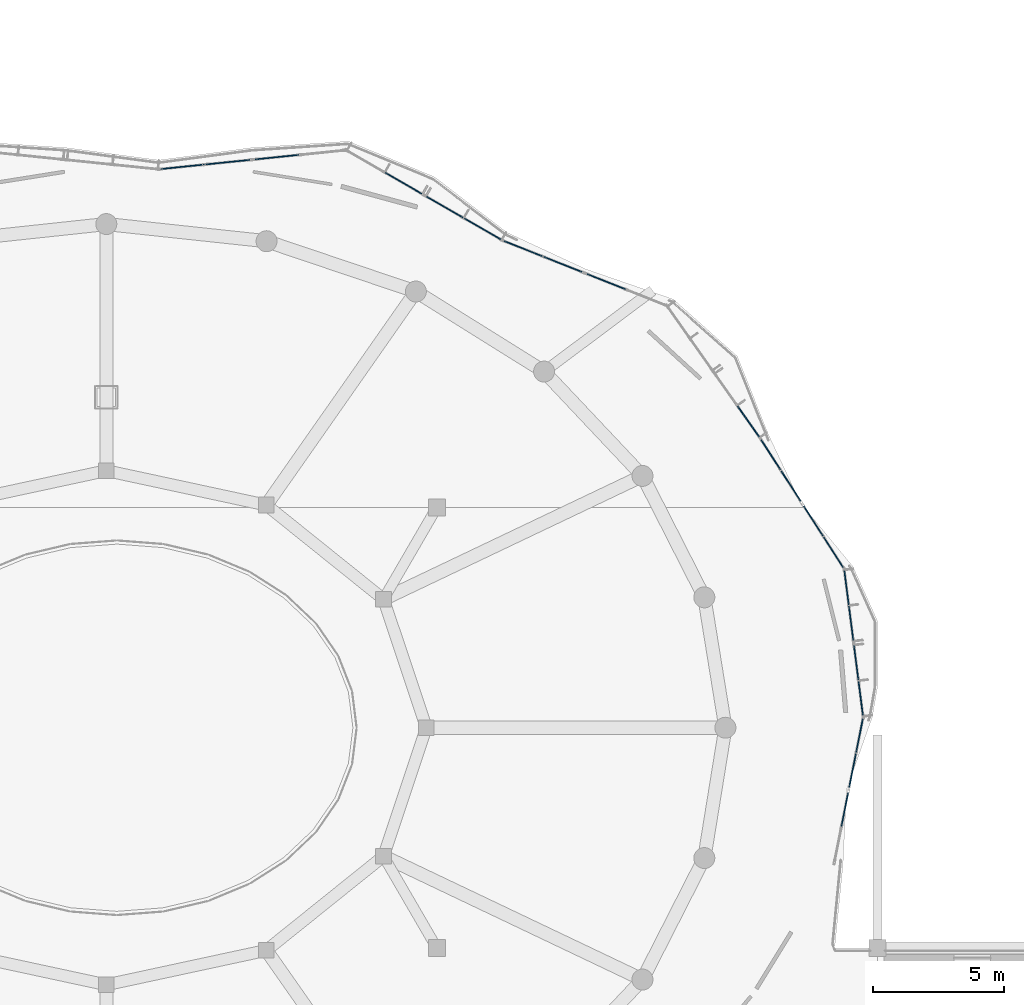
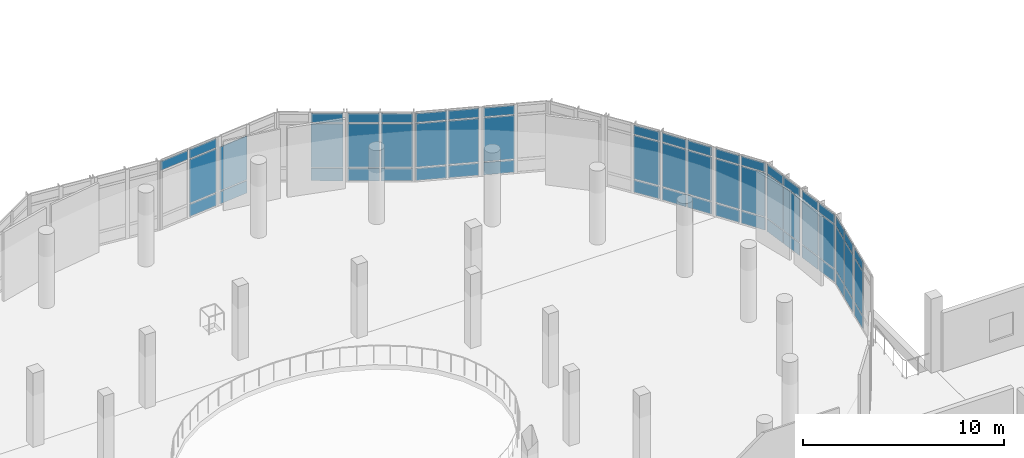
# One storey, part 24 of 46: 60 plates, 13 elements without a shape of their own.
"""IFC4 building model written with IfcOpenShell, lengths in metres."""

from ifc_helpers import new_model, si_unit, derived_unit, direction, frame, origin, origin_2d, place, context, subcontext, project, spatial, rectangle, extrude, material, layer, layer_set, type_object, element, aggregate, save


model = new_model("IFC4")

# Units and contexts
model_context = context("Model", 3, precision=1e-05, world=origin(), true_north=direction((0.0, 1.0)))
body_context = subcontext(model_context, "Body", "Model", "MODEL_VIEW")
ifc_project = project(units=[si_unit("LENGTHUNIT", "METRE"), si_unit("AREAUNIT", "SQUARE_METRE"), si_unit("VOLUMEUNIT", "CUBIC_METRE"), si_unit("PLANEANGLEUNIT", "RADIAN"), si_unit("MASSUNIT", "GRAM", prefix="KILO"), derived_unit("THERMALTRANSMITTANCEUNIT", [(si_unit("POWERUNIT", "WATT"), 1), (si_unit("LENGTHUNIT", "METRE"), -2), (si_unit("THERMODYNAMICTEMPERATUREUNIT", "KELVIN"), -1)])], contexts=[model_context])

# Site, building, storey
site_placement = place(None, origin())
site = spatial("IfcSite", under=ifc_project, at=site_placement, CompositionType="ELEMENT")
building_placement = place(site_placement, origin())
building = spatial("IfcBuilding", under=site, at=building_placement, Name="Elbkamm Science Centre", CompositionType="ELEMENT")
storey_placement = place(building_placement, frame((0.0, 0.0, 9.89990234375)))
storey = spatial("IfcBuildingStorey", under=building, at=storey_placement, Name="L02", CompositionType="ELEMENT", Elevation=9.89990234375)

# Curtain wall, plates
ifc_material_1 = material(Name="Powder-coated aluminium and triple low-E glazing", Category="aluminium")
ifc_layer_1 = layer(ifc_material_1, 0.159912109375)
ifc_layer_set_1 = layer_set([ifc_layer_1], Name="Powder-coated aluminium and triple low-E glazing")
curtain_wall_type_1 = type_object("IfcCurtainWallType", Name="CW-UNIT-2820x4220", PredefinedType="USERDEFINED", material=ifc_layer_set_1)
curtain_wall_1_placement = place(storey_placement, origin())
curtain_wall_1 = element("IfcCurtainWall", 1, at=curtain_wall_1_placement, inside=storey, type_object=curtain_wall_type_1, Name="L02 Unitised Curtain Wall 016", ObjectType="UNITISED CURTAIN WALL", PredefinedType="USERDEFINED")
ifc_material_2 = material(Name="Triple solar-control insulated safety glass", Category="glass")
ifc_layer_2 = layer(ifc_material_2, 0.0400390625)
ifc_layer_set_2 = layer_set([ifc_layer_2], Name="Triple solar-control insulated safety glass")
plate_type = type_object("IfcPlateType", Name="CW-PNL-40", PredefinedType="CURTAIN_PANEL", material=ifc_layer_set_2)
plate_1_placement = place(storey_placement, frame((91.758544921875, 68.314208984375, 0.070068359375), z_axis=(0.0, 0.0, 1.0), x_axis=(-0.127174189957, 0.991880398742, 0.0)))
plate_1 = element("IfcPlate", 2, at=plate_1_placement, type_object=plate_type, Name="CW-010 panel 1.1", PredefinedType="CURTAIN_PANEL", context=body_context, shape_type="SweptSolid", body=[
    extrude(rectangle(XDim=1.300048828125, YDim=0.0400390625, at=origin_2d()), origin(), (0.0, 0.0, 1.0), 0.7451171875),
])
plate_2_placement = place(storey_placement, frame((91.758544921875, 68.314208984375, 0.88525390625), z_axis=(0.0, 0.0, 1.0), x_axis=(-0.127174189957, 0.991880398742, 0.0)))
plate_2 = element("IfcPlate", 3, at=plate_2_placement, type_object=plate_type, Name="CW-010 panel 1.2", PredefinedType="CURTAIN_PANEL", context=body_context, shape_type="SweptSolid", body=[
    extrude(rectangle(XDim=1.300048828125, YDim=0.0400390625, at=origin_2d()), origin(), (0.0, 0.0, 1.0), 2.64990234375),
])
plate_3_placement = place(storey_placement, frame((91.758544921875, 68.314208984375, 3.605224609375), z_axis=(0.0, 0.0, 1.0), x_axis=(-0.127174189957, 0.991880398742, 0.0)))
plate_3 = element("IfcPlate", 4, at=plate_3_placement, type_object=plate_type, Name="CW-010 panel 1.3", PredefinedType="CURTAIN_PANEL", context=body_context, shape_type="SweptSolid", body=[
    extrude(rectangle(XDim=1.300048828125, YDim=0.0400390625, at=origin_2d()), origin(), (0.0, 0.0, 1.0), 0.544921875),
])
plate_4_placement = place(storey_placement, frame((91.584228515625, 69.67333984375, 0.070068359375), z_axis=(0.0, 0.0, 1.0), x_axis=(-0.127174189957, 0.991880398742, 0.0)))
plate_4 = element("IfcPlate", 5, at=plate_4_placement, type_object=plate_type, Name="CW-010 panel 2.1", PredefinedType="CURTAIN_PANEL", context=body_context, shape_type="SweptSolid", body=[
    extrude(rectangle(XDim=1.300048828125, YDim=0.0400390625, at=origin_2d()), origin(), (0.0, 0.0, 1.0), 0.7451171875),
])
plate_5_placement = place(storey_placement, frame((91.584228515625, 69.67333984375, 0.88525390625), z_axis=(0.0, 0.0, 1.0), x_axis=(-0.127174189957, 0.991880398742, 0.0)))
plate_5 = element("IfcPlate", 6, at=plate_5_placement, type_object=plate_type, Name="CW-010 panel 2.2", PredefinedType="CURTAIN_PANEL", context=body_context, shape_type="SweptSolid", body=[
    extrude(rectangle(XDim=1.300048828125, YDim=0.0400390625, at=origin_2d()), origin(), (0.0, 0.0, 1.0), 2.64990234375),
])
plate_6_placement = place(storey_placement, frame((91.584228515625, 69.67333984375, 3.605224609375), z_axis=(0.0, 0.0, 1.0), x_axis=(-0.127174189957, 0.991880398742, 0.0)))
plate_6 = element("IfcPlate", 7, at=plate_6_placement, type_object=plate_type, Name="CW-010 panel 2.3", PredefinedType="CURTAIN_PANEL", context=body_context, shape_type="SweptSolid", body=[
    extrude(rectangle(XDim=1.300048828125, YDim=0.0400390625, at=origin_2d()), origin(), (0.0, 0.0, 1.0), 0.544921875),
])
aggregate(curtain_wall_1, [plate_1, plate_2, plate_3, plate_4, plate_5, plate_6])

curtain_wall_2_placement = place(storey_placement, origin())
curtain_wall_2 = element("IfcCurtainWall", 8, at=curtain_wall_2_placement, inside=storey, type_object=curtain_wall_type_1, Name="L02 Unitised Curtain Wall 017", ObjectType="UNITISED CURTAIN WALL", PredefinedType="USERDEFINED")
plate_7_placement = place(storey_placement, frame((91.390869140625, 71.18115234375, 0.070068359375), z_axis=(0.0, 0.0, 1.0), x_axis=(-0.127174189957, 0.991880398742, 0.0)))
plate_7 = element("IfcPlate", 9, at=plate_7_placement, type_object=plate_type, Name="CW-010 panel 1.1", PredefinedType="CURTAIN_PANEL", context=body_context, shape_type="SweptSolid", body=[
    extrude(rectangle(XDim=1.300048828125, YDim=0.0400390625, at=origin_2d()), origin(), (0.0, 0.0, 1.0), 0.7451171875),
])
plate_8_placement = place(storey_placement, frame((91.390869140625, 71.18115234375, 0.88525390625), z_axis=(0.0, 0.0, 1.0), x_axis=(-0.127174189957, 0.991880398742, 0.0)))
plate_8 = element("IfcPlate", 10, at=plate_8_placement, type_object=plate_type, Name="CW-010 panel 1.2", PredefinedType="CURTAIN_PANEL", context=body_context, shape_type="SweptSolid", body=[
    extrude(rectangle(XDim=1.300048828125, YDim=0.0400390625, at=origin_2d()), origin(), (0.0, 0.0, 1.0), 2.64990234375),
])
plate_9_placement = place(storey_placement, frame((91.390869140625, 71.18115234375, 3.605224609375), z_axis=(0.0, 0.0, 1.0), x_axis=(-0.127174189957, 0.991880398742, 0.0)))
plate_9 = element("IfcPlate", 11, at=plate_9_placement, type_object=plate_type, Name="CW-010 panel 1.3", PredefinedType="CURTAIN_PANEL", context=body_context, shape_type="SweptSolid", body=[
    extrude(rectangle(XDim=1.300048828125, YDim=0.0400390625, at=origin_2d()), origin(), (0.0, 0.0, 1.0), 0.544921875),
])
plate_10_placement = place(storey_placement, frame((91.216796875, 72.5400390625, 0.070068359375), z_axis=(0.0, 0.0, 1.0), x_axis=(-0.127174189957, 0.991880398742, 0.0)))
plate_10 = element("IfcPlate", 12, at=plate_10_placement, type_object=plate_type, Name="CW-010 panel 2.1", PredefinedType="CURTAIN_PANEL", context=body_context, shape_type="SweptSolid", body=[
    extrude(rectangle(XDim=1.300048828125, YDim=0.0400390625, at=origin_2d()), origin(), (0.0, 0.0, 1.0), 0.7451171875),
])
plate_11_placement = place(storey_placement, frame((91.216796875, 72.5400390625, 0.88525390625), z_axis=(0.0, 0.0, 1.0), x_axis=(-0.127174189957, 0.991880398742, 0.0)))
plate_11 = element("IfcPlate", 13, at=plate_11_placement, type_object=plate_type, Name="CW-010 panel 2.2", PredefinedType="CURTAIN_PANEL", context=body_context, shape_type="SweptSolid", body=[
    extrude(rectangle(XDim=1.300048828125, YDim=0.0400390625, at=origin_2d()), origin(), (0.0, 0.0, 1.0), 2.64990234375),
])
plate_12_placement = place(storey_placement, frame((91.216796875, 72.5400390625, 3.605224609375), z_axis=(0.0, 0.0, 1.0), x_axis=(-0.127174189957, 0.991880398742, 0.0)))
plate_12 = element("IfcPlate", 14, at=plate_12_placement, type_object=plate_type, Name="CW-010 panel 2.3", PredefinedType="CURTAIN_PANEL", context=body_context, shape_type="SweptSolid", body=[
    extrude(rectangle(XDim=1.300048828125, YDim=0.0400390625, at=origin_2d()), origin(), (0.0, 0.0, 1.0), 0.544921875),
])
aggregate(curtain_wall_2, [plate_7, plate_8, plate_9, plate_10, plate_11, plate_12])

ifc_layer_3 = layer(ifc_material_1, 0.159912109375)
ifc_layer_set_3 = layer_set([ifc_layer_3], Name="Powder-coated aluminium and triple low-E glazing")
curtain_wall_type_2 = type_object("IfcCurtainWallType", Name="CW-UNIT-2920x4220", PredefinedType="USERDEFINED", material=ifc_layer_set_3)
curtain_wall_3_placement = place(storey_placement, origin())
curtain_wall_3 = element("IfcCurtainWall", 15, at=curtain_wall_3_placement, inside=storey, type_object=curtain_wall_type_2, Name="L02 Unitised Curtain Wall 018", ObjectType="UNITISED CURTAIN WALL", PredefinedType="USERDEFINED")
plate_13_placement = place(storey_placement, frame((90.720947265625, 73.88330078125, 0.070068359375), z_axis=(0.0, 0.0, 1.0), x_axis=(-0.540707402459, 0.841210737524, 0.0)))
plate_13 = element("IfcPlate", 16, at=plate_13_placement, type_object=plate_type, Name="CW-011 panel 1.1", PredefinedType="CURTAIN_PANEL", context=body_context, shape_type="SweptSolid", body=[
    extrude(rectangle(XDim=1.355224609375, YDim=0.0400390625, at=origin_2d()), origin(), (0.0, 0.0, 1.0), 0.7451171875),
])
plate_14_placement = place(storey_placement, frame((90.720947265625, 73.88330078125, 0.88525390625), z_axis=(0.0, 0.0, 1.0), x_axis=(-0.540707402459, 0.841210737524, 0.0)))
plate_14 = element("IfcPlate", 17, at=plate_14_placement, type_object=plate_type, Name="CW-011 panel 1.2", PredefinedType="CURTAIN_PANEL", context=body_context, shape_type="SweptSolid", body=[
    extrude(rectangle(XDim=1.355224609375, YDim=0.0400390625, at=origin_2d()), origin(), (0.0, 0.0, 1.0), 2.64990234375),
])
plate_15_placement = place(storey_placement, frame((90.720947265625, 73.88330078125, 3.605224609375), z_axis=(0.0, 0.0, 1.0), x_axis=(-0.540707402459, 0.841210737524, 0.0)))
plate_15 = element("IfcPlate", 18, at=plate_15_placement, type_object=plate_type, Name="CW-011 panel 1.3", PredefinedType="CURTAIN_PANEL", context=body_context, shape_type="SweptSolid", body=[
    extrude(rectangle(XDim=1.355224609375, YDim=0.0400390625, at=origin_2d()), origin(), (0.0, 0.0, 1.0), 0.544921875),
])
plate_16_placement = place(storey_placement, frame((89.9501953125, 75.08203125, 0.070068359375), z_axis=(0.0, 0.0, 1.0), x_axis=(-0.540707402459, 0.841210737524, 0.0)))
plate_16 = element("IfcPlate", 19, at=plate_16_placement, type_object=plate_type, Name="CW-011 panel 2.1", PredefinedType="CURTAIN_PANEL", context=body_context, shape_type="SweptSolid", body=[
    extrude(rectangle(XDim=1.355224609375, YDim=0.0400390625, at=origin_2d()), origin(), (0.0, 0.0, 1.0), 0.7451171875),
])
plate_17_placement = place(storey_placement, frame((89.9501953125, 75.08203125, 0.88525390625), z_axis=(0.0, 0.0, 1.0), x_axis=(-0.540707402459, 0.841210737524, 0.0)))
plate_17 = element("IfcPlate", 20, at=plate_17_placement, type_object=plate_type, Name="CW-011 panel 2.2", PredefinedType="CURTAIN_PANEL", context=body_context, shape_type="SweptSolid", body=[
    extrude(rectangle(XDim=1.355224609375, YDim=0.0400390625, at=origin_2d()), origin(), (0.0, 0.0, 1.0), 2.64990234375),
])
plate_18_placement = place(storey_placement, frame((89.9501953125, 75.08203125, 3.605224609375), z_axis=(0.0, 0.0, 1.0), x_axis=(-0.540707402459, 0.841210737524, 0.0)))
plate_18 = element("IfcPlate", 21, at=plate_18_placement, type_object=plate_type, Name="CW-011 panel 2.3", PredefinedType="CURTAIN_PANEL", context=body_context, shape_type="SweptSolid", body=[
    extrude(rectangle(XDim=1.355224609375, YDim=0.0400390625, at=origin_2d()), origin(), (0.0, 0.0, 1.0), 0.544921875),
])
aggregate(curtain_wall_3, [plate_13, plate_14, plate_15, plate_16, plate_17, plate_18])

curtain_wall_4_placement = place(storey_placement, origin())
curtain_wall_4 = element("IfcCurtainWall", 22, at=curtain_wall_4_placement, inside=storey, type_object=curtain_wall_type_2, Name="L02 Unitised Curtain Wall 019", ObjectType="UNITISED CURTAIN WALL", PredefinedType="USERDEFINED")
plate_19_placement = place(storey_placement, frame((89.0986328125, 76.4072265625, 0.070068359375), z_axis=(0.0, 0.0, 1.0), x_axis=(-0.540707402459, 0.841210737524, 0.0)))
plate_19 = element("IfcPlate", 23, at=plate_19_placement, type_object=plate_type, Name="CW-011 panel 1.1", PredefinedType="CURTAIN_PANEL", context=body_context, shape_type="SweptSolid", body=[
    extrude(rectangle(XDim=1.355224609375, YDim=0.0400390625, at=origin_2d()), origin(), (0.0, 0.0, 1.0), 0.7451171875),
])
plate_20_placement = place(storey_placement, frame((89.0986328125, 76.4072265625, 0.88525390625), z_axis=(0.0, 0.0, 1.0), x_axis=(-0.540707402459, 0.841210737524, 0.0)))
plate_20 = element("IfcPlate", 24, at=plate_20_placement, type_object=plate_type, Name="CW-011 panel 1.2", PredefinedType="CURTAIN_PANEL", context=body_context, shape_type="SweptSolid", body=[
    extrude(rectangle(XDim=1.355224609375, YDim=0.0400390625, at=origin_2d()), origin(), (0.0, 0.0, 1.0), 2.64990234375),
])
plate_21_placement = place(storey_placement, frame((89.0986328125, 76.4072265625, 3.605224609375), z_axis=(0.0, 0.0, 1.0), x_axis=(-0.540707402459, 0.841210737524, 0.0)))
plate_21 = element("IfcPlate", 25, at=plate_21_placement, type_object=plate_type, Name="CW-011 panel 1.3", PredefinedType="CURTAIN_PANEL", context=body_context, shape_type="SweptSolid", body=[
    extrude(rectangle(XDim=1.355224609375, YDim=0.0400390625, at=origin_2d()), origin(), (0.0, 0.0, 1.0), 0.544921875),
])
plate_22_placement = place(storey_placement, frame((88.327880859375, 77.606201171875, 0.070068359375), z_axis=(0.0, 0.0, 1.0), x_axis=(-0.540707402459, 0.841210737524, 0.0)))
plate_22 = element("IfcPlate", 26, at=plate_22_placement, type_object=plate_type, Name="CW-011 panel 2.1", PredefinedType="CURTAIN_PANEL", context=body_context, shape_type="SweptSolid", body=[
    extrude(rectangle(XDim=1.355224609375, YDim=0.0400390625, at=origin_2d()), origin(), (0.0, 0.0, 1.0), 0.7451171875),
])
plate_23_placement = place(storey_placement, frame((88.327880859375, 77.606201171875, 0.88525390625), z_axis=(0.0, 0.0, 1.0), x_axis=(-0.540707402459, 0.841210737524, 0.0)))
plate_23 = element("IfcPlate", 27, at=plate_23_placement, type_object=plate_type, Name="CW-011 panel 2.2", PredefinedType="CURTAIN_PANEL", context=body_context, shape_type="SweptSolid", body=[
    extrude(rectangle(XDim=1.355224609375, YDim=0.0400390625, at=origin_2d()), origin(), (0.0, 0.0, 1.0), 2.64990234375),
])
plate_24_placement = place(storey_placement, frame((88.327880859375, 77.606201171875, 3.605224609375), z_axis=(0.0, 0.0, 1.0), x_axis=(-0.540707402459, 0.841210737524, 0.0)))
plate_24 = element("IfcPlate", 28, at=plate_24_placement, type_object=plate_type, Name="CW-011 panel 2.3", PredefinedType="CURTAIN_PANEL", context=body_context, shape_type="SweptSolid", body=[
    extrude(rectangle(XDim=1.355224609375, YDim=0.0400390625, at=origin_2d()), origin(), (0.0, 0.0, 1.0), 0.544921875),
])
aggregate(curtain_wall_4, [plate_19, plate_20, plate_21, plate_22, plate_23, plate_24])

ifc_layer_4 = layer(ifc_material_1, 0.159912109375)
ifc_layer_set_4 = layer_set([ifc_layer_4], Name="Powder-coated aluminium and triple low-E glazing")
curtain_wall_type_3 = type_object("IfcCurtainWallType", Name="CW-UNIT-3060x4220", PredefinedType="USERDEFINED", material=ifc_layer_set_4)
curtain_wall_5_placement = place(storey_placement, origin())
curtain_wall_5 = element("IfcCurtainWall", 29, at=curtain_wall_5_placement, inside=storey, type_object=curtain_wall_type_3, Name="L02 Unitised Curtain Wall 020", ObjectType="UNITISED CURTAIN WALL", PredefinedType="USERDEFINED")
plate_25_placement = place(storey_placement, frame((87.474609375, 78.872802734375, 0.070068359375), z_axis=(0.0, 0.0, 1.0), x_axis=(-0.575651750443, 0.817694968929, 0.0)))
plate_25 = element("IfcPlate", 30, at=plate_25_placement, type_object=plate_type, Name="CW-012 panel 1.1", PredefinedType="CURTAIN_PANEL", context=body_context, shape_type="SweptSolid", body=[
    extrude(rectangle(XDim=1.420166015625, YDim=0.0400390625, at=origin_2d()), origin(), (0.0, 0.0, 1.0), 0.7451171875),
])
plate_26_placement = place(storey_placement, frame((87.474609375, 78.872802734375, 0.88525390625), z_axis=(0.0, 0.0, 1.0), x_axis=(-0.575651750443, 0.817694968929, 0.0)))
plate_26 = element("IfcPlate", 31, at=plate_26_placement, type_object=plate_type, Name="CW-012 panel 1.2", PredefinedType="CURTAIN_PANEL", context=body_context, shape_type="SweptSolid", body=[
    extrude(rectangle(XDim=1.420166015625, YDim=0.0400390625, at=origin_2d()), origin(), (0.0, 0.0, 1.0), 2.64990234375),
])
plate_27_placement = place(storey_placement, frame((87.474609375, 78.872802734375, 3.605224609375), z_axis=(0.0, 0.0, 1.0), x_axis=(-0.575651750443, 0.817694968929, 0.0)))
plate_27 = element("IfcPlate", 32, at=plate_27_placement, type_object=plate_type, Name="CW-012 panel 1.3", PredefinedType="CURTAIN_PANEL", context=body_context, shape_type="SweptSolid", body=[
    extrude(rectangle(XDim=1.420166015625, YDim=0.0400390625, at=origin_2d()), origin(), (0.0, 0.0, 1.0), 0.544921875),
])
aggregate(curtain_wall_5, [plate_25, plate_26, plate_27])

ifc_layer_5 = layer(ifc_material_1, 0.159912109375)
ifc_layer_set_5 = layer_set([ifc_layer_5], Name="Powder-coated aluminium and triple low-E glazing")
curtain_wall_type_4 = type_object("IfcCurtainWallType", Name="CW-UNIT-3340x4220", PredefinedType="USERDEFINED", material=ifc_layer_set_5)
curtain_wall_6_placement = place(storey_placement, origin())
curtain_wall_6 = element("IfcCurtainWall", 33, at=curtain_wall_6_placement, inside=storey, type_object=curtain_wall_type_4, Name="L02 Unitised Curtain Wall 022", ObjectType="UNITISED CURTAIN WALL", PredefinedType="USERDEFINED")
plate_28_placement = place(storey_placement, frame((82.05859375, 84.205322265625, 0.070068359375), z_axis=(0.0, 0.0, 1.0), x_axis=(-0.929365763256, 0.369160233621, 0.0)))
plate_28 = element("IfcPlate", 34, at=plate_28_placement, type_object=plate_type, Name="CW-013 panel 2.1", PredefinedType="CURTAIN_PANEL", context=body_context, shape_type="SweptSolid", body=[
    extrude(rectangle(XDim=1.5615234375, YDim=0.0400390625, at=origin_2d()), origin(), (0.0, 0.0, 1.0), 0.7451171875),
])
plate_29_placement = place(storey_placement, frame((82.05859375, 84.205322265625, 0.88525390625), z_axis=(0.0, 0.0, 1.0), x_axis=(-0.929365763256, 0.369160233621, 0.0)))
plate_29 = element("IfcPlate", 35, at=plate_29_placement, type_object=plate_type, Name="CW-013 panel 2.2", PredefinedType="CURTAIN_PANEL", context=body_context, shape_type="SweptSolid", body=[
    extrude(rectangle(XDim=1.5615234375, YDim=0.0400390625, at=origin_2d()), origin(), (0.0, 0.0, 1.0), 2.64990234375),
])
plate_30_placement = place(storey_placement, frame((82.05859375, 84.205322265625, 3.605224609375), z_axis=(0.0, 0.0, 1.0), x_axis=(-0.929365763256, 0.369160233621, 0.0)))
plate_30 = element("IfcPlate", 36, at=plate_30_placement, type_object=plate_type, Name="CW-013 panel 2.3", PredefinedType="CURTAIN_PANEL", context=body_context, shape_type="SweptSolid", body=[
    extrude(rectangle(XDim=1.5615234375, YDim=0.0400390625, at=origin_2d()), origin(), (0.0, 0.0, 1.0), 0.544921875),
])
aggregate(curtain_wall_6, [plate_28, plate_29, plate_30])

curtain_wall_7_placement = place(storey_placement, origin())
curtain_wall_7 = element("IfcCurtainWall", 37, at=curtain_wall_7_placement, inside=storey, type_object=curtain_wall_type_4, Name="L02 Unitised Curtain Wall 023", ObjectType="UNITISED CURTAIN WALL", PredefinedType="USERDEFINED")
plate_31_placement = place(storey_placement, frame((80.403076171875, 84.863037109375, 0.070068359375), z_axis=(0.0, 0.0, 1.0), x_axis=(-0.929365763256, 0.369160233621, 0.0)))
plate_31 = element("IfcPlate", 38, at=plate_31_placement, type_object=plate_type, Name="CW-013 panel 1.1", PredefinedType="CURTAIN_PANEL", context=body_context, shape_type="SweptSolid", body=[
    extrude(rectangle(XDim=1.5615234375, YDim=0.0400390625, at=origin_2d()), origin(), (0.0, 0.0, 1.0), 0.7451171875),
])
plate_32_placement = place(storey_placement, frame((80.403076171875, 84.863037109375, 0.88525390625), z_axis=(0.0, 0.0, 1.0), x_axis=(-0.929365763256, 0.369160233621, 0.0)))
plate_32 = element("IfcPlate", 39, at=plate_32_placement, type_object=plate_type, Name="CW-013 panel 1.2", PredefinedType="CURTAIN_PANEL", context=body_context, shape_type="SweptSolid", body=[
    extrude(rectangle(XDim=1.5615234375, YDim=0.0400390625, at=origin_2d()), origin(), (0.0, 0.0, 1.0), 2.64990234375),
])
plate_33_placement = place(storey_placement, frame((80.403076171875, 84.863037109375, 3.605224609375), z_axis=(0.0, 0.0, 1.0), x_axis=(-0.929365763256, 0.369160233621, 0.0)))
plate_33 = element("IfcPlate", 40, at=plate_33_placement, type_object=plate_type, Name="CW-013 panel 1.3", PredefinedType="CURTAIN_PANEL", context=body_context, shape_type="SweptSolid", body=[
    extrude(rectangle(XDim=1.5615234375, YDim=0.0400390625, at=origin_2d()), origin(), (0.0, 0.0, 1.0), 0.544921875),
])
plate_34_placement = place(storey_placement, frame((78.88671875, 85.46533203125, 0.070068359375), z_axis=(0.0, 0.0, 1.0), x_axis=(-0.929365763256, 0.369160233621, 0.0)))
plate_34 = element("IfcPlate", 41, at=plate_34_placement, type_object=plate_type, Name="CW-013 panel 2.1", PredefinedType="CURTAIN_PANEL", context=body_context, shape_type="SweptSolid", body=[
    extrude(rectangle(XDim=1.5615234375, YDim=0.0400390625, at=origin_2d()), origin(), (0.0, 0.0, 1.0), 0.7451171875),
])
plate_35_placement = place(storey_placement, frame((78.88671875, 85.46533203125, 0.88525390625), z_axis=(0.0, 0.0, 1.0), x_axis=(-0.929365763256, 0.369160233621, 0.0)))
plate_35 = element("IfcPlate", 42, at=plate_35_placement, type_object=plate_type, Name="CW-013 panel 2.2", PredefinedType="CURTAIN_PANEL", context=body_context, shape_type="SweptSolid", body=[
    extrude(rectangle(XDim=1.5615234375, YDim=0.0400390625, at=origin_2d()), origin(), (0.0, 0.0, 1.0), 2.64990234375),
])
plate_36_placement = place(storey_placement, frame((78.88671875, 85.46533203125, 3.605224609375), z_axis=(0.0, 0.0, 1.0), x_axis=(-0.929365763256, 0.369160233621, 0.0)))
plate_36 = element("IfcPlate", 43, at=plate_36_placement, type_object=plate_type, Name="CW-013 panel 2.3", PredefinedType="CURTAIN_PANEL", context=body_context, shape_type="SweptSolid", body=[
    extrude(rectangle(XDim=1.5615234375, YDim=0.0400390625, at=origin_2d()), origin(), (0.0, 0.0, 1.0), 0.544921875),
])
aggregate(curtain_wall_7, [plate_31, plate_32, plate_33, plate_34, plate_35, plate_36])

ifc_layer_6 = layer(ifc_material_1, 0.159912109375)
ifc_layer_set_6 = layer_set([ifc_layer_6], Name="Powder-coated aluminium and triple low-E glazing")
curtain_wall_type_5 = type_object("IfcCurtainWallType", Name="CW-UNIT-3400x4220", PredefinedType="USERDEFINED", material=ifc_layer_set_6)
curtain_wall_8_placement = place(storey_placement, origin())
curtain_wall_8 = element("IfcCurtainWall", 44, at=curtain_wall_8_placement, inside=storey, type_object=curtain_wall_type_5, Name="L02 Unitised Curtain Wall 024", ObjectType="UNITISED CURTAIN WALL", PredefinedType="USERDEFINED")
plate_37_placement = place(storey_placement, frame((77.3447265625, 86.21337890625, 0.070068359375), z_axis=(0.0, 0.0, 1.0), x_axis=(-0.865840156324, 0.500320720834, 0.0)))
plate_37 = element("IfcPlate", 45, at=plate_37_placement, type_object=plate_type, Name="CW-014 panel 1.1", PredefinedType="CURTAIN_PANEL", context=body_context, shape_type="SweptSolid", body=[
    extrude(rectangle(XDim=1.594970703125, YDim=0.0400390625, at=origin_2d()), origin(), (0.0, 0.0, 1.0), 0.7451171875),
])
plate_38_placement = place(storey_placement, frame((77.3447265625, 86.21337890625, 0.88525390625), z_axis=(0.0, 0.0, 1.0), x_axis=(-0.865840156324, 0.500320720834, 0.0)))
plate_38 = element("IfcPlate", 46, at=plate_38_placement, type_object=plate_type, Name="CW-014 panel 1.2", PredefinedType="CURTAIN_PANEL", context=body_context, shape_type="SweptSolid", body=[
    extrude(rectangle(XDim=1.594970703125, YDim=0.0400390625, at=origin_2d()), origin(), (0.0, 0.0, 1.0), 2.64990234375),
])
plate_39_placement = place(storey_placement, frame((77.3447265625, 86.21337890625, 3.605224609375), z_axis=(0.0, 0.0, 1.0), x_axis=(-0.865840156324, 0.500320720834, 0.0)))
plate_39 = element("IfcPlate", 47, at=plate_39_placement, type_object=plate_type, Name="CW-014 panel 1.3", PredefinedType="CURTAIN_PANEL", context=body_context, shape_type="SweptSolid", body=[
    extrude(rectangle(XDim=1.594970703125, YDim=0.0400390625, at=origin_2d()), origin(), (0.0, 0.0, 1.0), 0.544921875),
])
plate_40_placement = place(storey_placement, frame((75.9033203125, 87.04638671875, 0.070068359375), z_axis=(0.0, 0.0, 1.0), x_axis=(-0.865840156324, 0.500320720834, 0.0)))
plate_40 = element("IfcPlate", 48, at=plate_40_placement, type_object=plate_type, Name="CW-014 panel 2.1", PredefinedType="CURTAIN_PANEL", context=body_context, shape_type="SweptSolid", body=[
    extrude(rectangle(XDim=1.594970703125, YDim=0.0400390625, at=origin_2d()), origin(), (0.0, 0.0, 1.0), 0.7451171875),
])
plate_41_placement = place(storey_placement, frame((75.9033203125, 87.04638671875, 0.88525390625), z_axis=(0.0, 0.0, 1.0), x_axis=(-0.865840156324, 0.500320720834, 0.0)))
plate_41 = element("IfcPlate", 49, at=plate_41_placement, type_object=plate_type, Name="CW-014 panel 2.2", PredefinedType="CURTAIN_PANEL", context=body_context, shape_type="SweptSolid", body=[
    extrude(rectangle(XDim=1.594970703125, YDim=0.0400390625, at=origin_2d()), origin(), (0.0, 0.0, 1.0), 2.64990234375),
])
plate_42_placement = place(storey_placement, frame((75.9033203125, 87.04638671875, 3.605224609375), z_axis=(0.0, 0.0, 1.0), x_axis=(-0.865840156324, 0.500320720834, 0.0)))
plate_42 = element("IfcPlate", 50, at=plate_42_placement, type_object=plate_type, Name="CW-014 panel 2.3", PredefinedType="CURTAIN_PANEL", context=body_context, shape_type="SweptSolid", body=[
    extrude(rectangle(XDim=1.594970703125, YDim=0.0400390625, at=origin_2d()), origin(), (0.0, 0.0, 1.0), 0.544921875),
])
aggregate(curtain_wall_8, [plate_37, plate_38, plate_39, plate_40, plate_41, plate_42])

curtain_wall_9_placement = place(storey_placement, origin())
curtain_wall_9 = element("IfcCurtainWall", 51, at=curtain_wall_9_placement, inside=storey, type_object=curtain_wall_type_5, Name="L02 Unitised Curtain Wall 025", ObjectType="UNITISED CURTAIN WALL", PredefinedType="USERDEFINED")
plate_43_placement = place(storey_placement, frame((74.33203125, 87.954345703125, 0.070068359375), z_axis=(0.0, 0.0, 1.0), x_axis=(-0.865840156324, 0.500320720834, 0.0)))
plate_43 = element("IfcPlate", 52, at=plate_43_placement, type_object=plate_type, Name="CW-014 panel 1.1", PredefinedType="CURTAIN_PANEL", context=body_context, shape_type="SweptSolid", body=[
    extrude(rectangle(XDim=1.594970703125, YDim=0.0400390625, at=origin_2d()), origin(), (0.0, 0.0, 1.0), 0.7451171875),
])
plate_44_placement = place(storey_placement, frame((74.33203125, 87.954345703125, 0.88525390625), z_axis=(0.0, 0.0, 1.0), x_axis=(-0.865840156324, 0.500320720834, 0.0)))
plate_44 = element("IfcPlate", 53, at=plate_44_placement, type_object=plate_type, Name="CW-014 panel 1.2", PredefinedType="CURTAIN_PANEL", context=body_context, shape_type="SweptSolid", body=[
    extrude(rectangle(XDim=1.594970703125, YDim=0.0400390625, at=origin_2d()), origin(), (0.0, 0.0, 1.0), 2.64990234375),
])
plate_45_placement = place(storey_placement, frame((74.33203125, 87.954345703125, 3.605224609375), z_axis=(0.0, 0.0, 1.0), x_axis=(-0.865840156324, 0.500320720834, 0.0)))
plate_45 = element("IfcPlate", 54, at=plate_45_placement, type_object=plate_type, Name="CW-014 panel 1.3", PredefinedType="CURTAIN_PANEL", context=body_context, shape_type="SweptSolid", body=[
    extrude(rectangle(XDim=1.594970703125, YDim=0.0400390625, at=origin_2d()), origin(), (0.0, 0.0, 1.0), 0.544921875),
])
aggregate(curtain_wall_9, [plate_43, plate_44, plate_45])

ifc_layer_7 = layer(ifc_material_1, 0.159912109375)
ifc_layer_set_7 = layer_set([ifc_layer_7], Name="Powder-coated aluminium and triple low-E glazing")
curtain_wall_type_6 = type_object("IfcCurtainWallType", Name="CW-UNIT-3540x4220", PredefinedType="USERDEFINED", material=ifc_layer_set_7)
curtain_wall_10_placement = place(storey_placement, origin())
curtain_wall_10 = element("IfcCurtainWall", 55, at=curtain_wall_10_placement, inside=storey, type_object=curtain_wall_type_6, Name="L02 Unitised Curtain Wall 026", ObjectType="UNITISED CURTAIN WALL", PredefinedType="USERDEFINED")
plate_46_placement = place(storey_placement, frame((69.50927734375, 88.951904296875, 0.070068359375), z_axis=(0.0, 0.0, 1.0), x_axis=(-0.994794045951, -0.101905869017, 0.0)))
plate_46 = element("IfcPlate", 56, at=plate_46_placement, type_object=plate_type, Name="CW-015 panel 2.1", PredefinedType="CURTAIN_PANEL", context=body_context, shape_type="SweptSolid", body=[
    extrude(rectangle(XDim=1.669189453125, YDim=0.0400390625, at=origin_2d()), origin(), (0.0, 0.0, 1.0), 0.7451171875),
])
plate_47_placement = place(storey_placement, frame((69.50927734375, 88.951904296875, 0.88525390625), z_axis=(0.0, 0.0, 1.0), x_axis=(-0.994794045951, -0.101905869017, 0.0)))
plate_47 = element("IfcPlate", 57, at=plate_47_placement, type_object=plate_type, Name="CW-015 panel 2.2", PredefinedType="CURTAIN_PANEL", context=body_context, shape_type="SweptSolid", body=[
    extrude(rectangle(XDim=1.669189453125, YDim=0.0400390625, at=origin_2d()), origin(), (0.0, 0.0, 1.0), 2.64990234375),
])
aggregate(curtain_wall_10, [plate_46, plate_47])

curtain_wall_11_placement = place(storey_placement, origin())
curtain_wall_11 = element("IfcCurtainWall", 58, at=curtain_wall_11_placement, inside=storey, type_object=curtain_wall_type_6, Name="L02 Unitised Curtain Wall 027", ObjectType="UNITISED CURTAIN WALL", PredefinedType="USERDEFINED")
plate_48_placement = place(storey_placement, frame((67.630126953125, 88.759521484375, 0.070068359375), z_axis=(0.0, 0.0, 1.0), x_axis=(-0.994794045951, -0.101905869017, 0.0)))
plate_48 = element("IfcPlate", 59, at=plate_48_placement, type_object=plate_type, Name="CW-015 panel 1.1", PredefinedType="CURTAIN_PANEL", context=body_context, shape_type="SweptSolid", body=[
    extrude(rectangle(XDim=1.669189453125, YDim=0.0400390625, at=origin_2d()), origin(), (0.0, 0.0, 1.0), 0.7451171875),
])
plate_49_placement = place(storey_placement, frame((67.630126953125, 88.759521484375, 0.88525390625), z_axis=(0.0, 0.0, 1.0), x_axis=(-0.994794045951, -0.101905869017, 0.0)))
plate_49 = element("IfcPlate", 60, at=plate_49_placement, type_object=plate_type, Name="CW-015 panel 1.2", PredefinedType="CURTAIN_PANEL", context=body_context, shape_type="SweptSolid", body=[
    extrude(rectangle(XDim=1.669189453125, YDim=0.0400390625, at=origin_2d()), origin(), (0.0, 0.0, 1.0), 2.64990234375),
])
plate_50_placement = place(storey_placement, frame((67.630126953125, 88.759521484375, 3.605224609375), z_axis=(0.0, 0.0, 1.0), x_axis=(-0.994794045951, -0.101905869017, 0.0)))
plate_50 = element("IfcPlate", 61, at=plate_50_placement, type_object=plate_type, Name="CW-015 panel 1.3", PredefinedType="CURTAIN_PANEL", context=body_context, shape_type="SweptSolid", body=[
    extrude(rectangle(XDim=1.669189453125, YDim=0.0400390625, at=origin_2d()), origin(), (0.0, 0.0, 1.0), 0.544921875),
])
plate_51_placement = place(storey_placement, frame((65.89990234375, 88.582275390625, 3.605224609375), z_axis=(0.0, 0.0, 1.0), x_axis=(-0.994794045951, -0.101905869017, 0.0)))
plate_51 = element("IfcPlate", 62, at=plate_51_placement, type_object=plate_type, Name="CW-015 panel 2.3", PredefinedType="CURTAIN_PANEL", context=body_context, shape_type="SweptSolid", body=[
    extrude(rectangle(XDim=1.669189453125, YDim=0.0400390625, at=origin_2d()), origin(), (0.0, 0.0, 1.0), 0.544921875),
])
aggregate(curtain_wall_11, [plate_48, plate_49, plate_50, plate_51])

ifc_layer_8 = layer(ifc_material_1, 0.159912109375)
ifc_layer_set_8 = layer_set([ifc_layer_8], Name="Powder-coated aluminium and triple low-E glazing")
curtain_wall_type_7 = type_object("IfcCurtainWallType", Name="CW-UNIT-2800x4220", PredefinedType="USERDEFINED", material=ifc_layer_set_8)
curtain_wall_12_placement = place(storey_placement, origin())
curtain_wall_12 = element("IfcCurtainWall", 63, at=curtain_wall_12_placement, inside=storey, type_object=curtain_wall_type_7, Name="L02 Unitised Curtain Wall 044", ObjectType="UNITISED CURTAIN WALL", PredefinedType="USERDEFINED")
plate_52_placement = place(storey_placement, frame((91.150146484375, 64.0830078125, 0.070068359375), z_axis=(0.0, 0.0, 1.0), x_axis=(0.195151282054, 0.980773152728, 0.0)))
plate_52 = element("IfcPlate", 64, at=plate_52_placement, type_object=plate_type, Name="CW-019 panel 2.1", PredefinedType="CURTAIN_PANEL", context=body_context, shape_type="SweptSolid", body=[
    extrude(rectangle(XDim=1.290283203125, YDim=0.0400390625, at=origin_2d()), origin(), (0.0, 0.0, 1.0), 0.7451171875),
])
plate_53_placement = place(storey_placement, frame((91.150146484375, 64.0830078125, 0.88525390625), z_axis=(0.0, 0.0, 1.0), x_axis=(0.195151282054, 0.980773152728, 0.0)))
plate_53 = element("IfcPlate", 65, at=plate_53_placement, type_object=plate_type, Name="CW-019 panel 2.2", PredefinedType="CURTAIN_PANEL", context=body_context, shape_type="SweptSolid", body=[
    extrude(rectangle(XDim=1.290283203125, YDim=0.0400390625, at=origin_2d()), origin(), (0.0, 0.0, 1.0), 2.64990234375),
])
plate_54_placement = place(storey_placement, frame((91.150146484375, 64.0830078125, 3.605224609375), z_axis=(0.0, 0.0, 1.0), x_axis=(0.195151282054, 0.980773152728, 0.0)))
plate_54 = element("IfcPlate", 66, at=plate_54_placement, type_object=plate_type, Name="CW-019 panel 2.3", PredefinedType="CURTAIN_PANEL", context=body_context, shape_type="SweptSolid", body=[
    extrude(rectangle(XDim=1.290283203125, YDim=0.0400390625, at=origin_2d()), origin(), (0.0, 0.0, 1.0), 0.544921875),
])
aggregate(curtain_wall_12, [plate_52, plate_53, plate_54])

curtain_wall_13_placement = place(storey_placement, origin())
curtain_wall_13 = element("IfcCurtainWall", 67, at=curtain_wall_13_placement, inside=storey, type_object=curtain_wall_type_7, Name="L02 Unitised Curtain Wall 045", ObjectType="UNITISED CURTAIN WALL", PredefinedType="USERDEFINED")
plate_55_placement = place(storey_placement, frame((91.445068359375, 65.564453125, 0.070068359375), z_axis=(0.0, 0.0, 1.0), x_axis=(0.195151282054, 0.980773152728, 0.0)))
plate_55 = element("IfcPlate", 68, at=plate_55_placement, type_object=plate_type, Name="CW-019 panel 1.1", PredefinedType="CURTAIN_PANEL", context=body_context, shape_type="SweptSolid", body=[
    extrude(rectangle(XDim=1.290283203125, YDim=0.0400390625, at=origin_2d()), origin(), (0.0, 0.0, 1.0), 0.7451171875),
])
plate_56_placement = place(storey_placement, frame((91.445068359375, 65.564453125, 0.88525390625), z_axis=(0.0, 0.0, 1.0), x_axis=(0.195151282054, 0.980773152728, 0.0)))
plate_56 = element("IfcPlate", 69, at=plate_56_placement, type_object=plate_type, Name="CW-019 panel 1.2", PredefinedType="CURTAIN_PANEL", context=body_context, shape_type="SweptSolid", body=[
    extrude(rectangle(XDim=1.290283203125, YDim=0.0400390625, at=origin_2d()), origin(), (0.0, 0.0, 1.0), 2.64990234375),
])
plate_57_placement = place(storey_placement, frame((91.445068359375, 65.564453125, 3.605224609375), z_axis=(0.0, 0.0, 1.0), x_axis=(0.195151282054, 0.980773152728, 0.0)))
plate_57 = element("IfcPlate", 70, at=plate_57_placement, type_object=plate_type, Name="CW-019 panel 1.3", PredefinedType="CURTAIN_PANEL", context=body_context, shape_type="SweptSolid", body=[
    extrude(rectangle(XDim=1.290283203125, YDim=0.0400390625, at=origin_2d()), origin(), (0.0, 0.0, 1.0), 0.544921875),
])
plate_58_placement = place(storey_placement, frame((91.71044921875, 66.898681640625, 0.070068359375), z_axis=(0.0, 0.0, 1.0), x_axis=(0.195151282054, 0.980773152728, 0.0)))
plate_58 = element("IfcPlate", 71, at=plate_58_placement, type_object=plate_type, Name="CW-019 panel 2.1", PredefinedType="CURTAIN_PANEL", context=body_context, shape_type="SweptSolid", body=[
    extrude(rectangle(XDim=1.290283203125, YDim=0.0400390625, at=origin_2d()), origin(), (0.0, 0.0, 1.0), 0.7451171875),
])
plate_59_placement = place(storey_placement, frame((91.71044921875, 66.898681640625, 0.88525390625), z_axis=(0.0, 0.0, 1.0), x_axis=(0.195151282054, 0.980773152728, 0.0)))
plate_59 = element("IfcPlate", 72, at=plate_59_placement, type_object=plate_type, Name="CW-019 panel 2.2", PredefinedType="CURTAIN_PANEL", context=body_context, shape_type="SweptSolid", body=[
    extrude(rectangle(XDim=1.290283203125, YDim=0.0400390625, at=origin_2d()), origin(), (0.0, 0.0, 1.0), 2.64990234375),
])
plate_60_placement = place(storey_placement, frame((91.71044921875, 66.898681640625, 3.605224609375), z_axis=(0.0, 0.0, 1.0), x_axis=(0.195151282054, 0.980773152728, 0.0)))
plate_60 = element("IfcPlate", 73, at=plate_60_placement, type_object=plate_type, Name="CW-019 panel 2.3", PredefinedType="CURTAIN_PANEL", context=body_context, shape_type="SweptSolid", body=[
    extrude(rectangle(XDim=1.290283203125, YDim=0.0400390625, at=origin_2d()), origin(), (0.0, 0.0, 1.0), 0.544921875),
])
aggregate(curtain_wall_13, [plate_55, plate_56, plate_57, plate_58, plate_59, plate_60])

save(model, "model.ifc")
